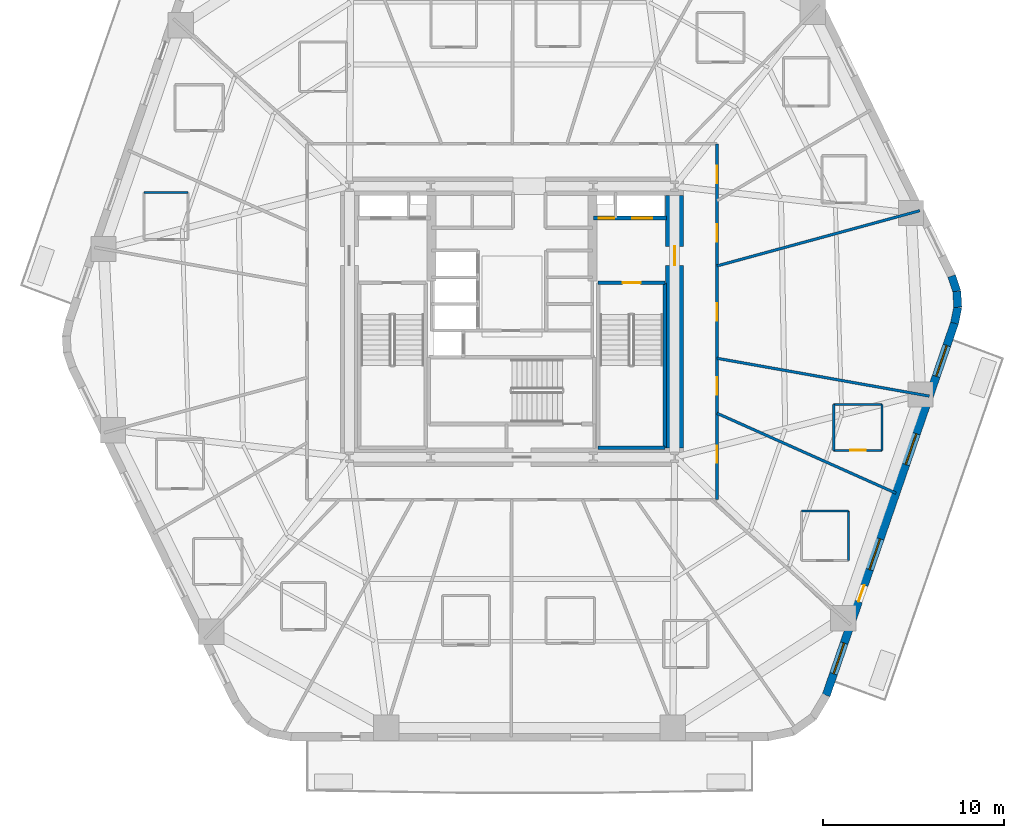
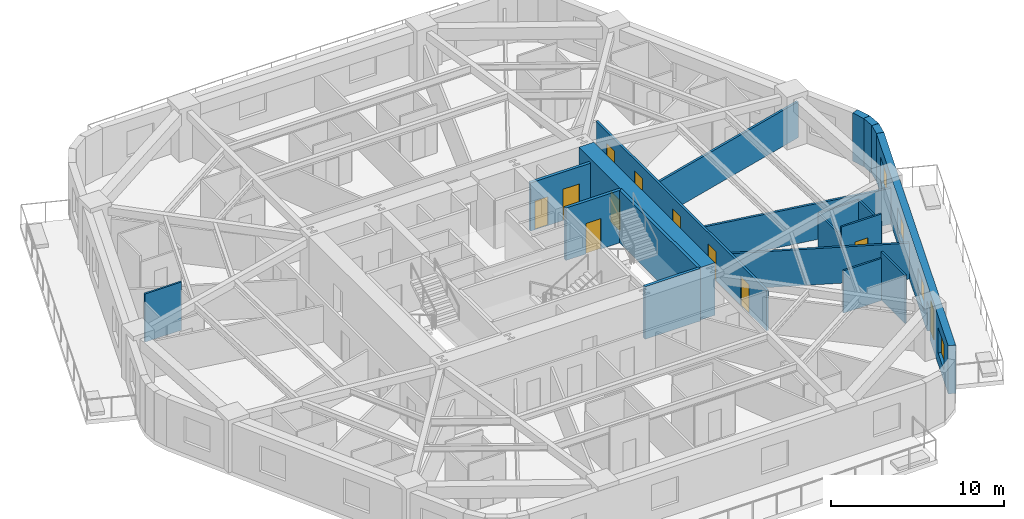
# One storey, part 5 of 11: 20 walls, 11 doors, 4 windows, 15 openings.
"""IFC4 building model written with IfcOpenShell, lengths in metres."""

from ifc_helpers import new_model, si_unit, direction, frame, frame_2d, origin, place, context, subcontext, project, spatial, rectangle, extrude, material, layer, layer_set, type_object, element, fill, save


model = new_model("IFC4")

# Units and contexts
model_context = context("Model", 3, precision=1e-05, world=origin(), true_north=direction((0.0, 1.0)))
body_context = subcontext(model_context, "Body", "Model", "MODEL_VIEW")
ifc_project = project(units=[si_unit("LENGTHUNIT", "METRE"), si_unit("AREAUNIT", "SQUARE_METRE"), si_unit("VOLUMEUNIT", "CUBIC_METRE"), si_unit("PLANEANGLEUNIT", "RADIAN"), si_unit("MASSUNIT", "GRAM", prefix="KILO")], contexts=[model_context])

# Site, building, storey
site_placement = place(None, origin())
site = spatial("IfcSite", under=ifc_project, at=site_placement, CompositionType="ELEMENT")
building_placement = place(site_placement, origin())
building = spatial("IfcBuilding", under=site, at=building_placement, Name="Kilnhurst Terrace Hotel", CompositionType="ELEMENT")
storey_placement = place(building_placement, frame((0.0, 0.0, 41.60009765625)))
storey = spatial("IfcBuildingStorey", under=building, at=storey_placement, Name="L08", CompositionType="ELEMENT", Elevation=41.60009765625)

# Walls
ifc_material_1 = material(Name="Precast concrete C40/50", Category="concrete")
ifc_layer_1 = layer(ifc_material_1, 0.449951171875, Name="Precast concrete C40/50")
ifc_layer_set_1 = layer_set([ifc_layer_1], Name="Precast concrete C40/50")
wall_type_1 = type_object("IfcWallType", Name="WL-BRK-450", PredefinedType="SOLIDWALL", material=ifc_layer_set_1)
wall_1_placement = place(storey_placement, frame((24.49560546875, -0.07666015625, 0.0), z_axis=(0.0, 0.0, 1.0), x_axis=(0.199570594521, 0.979883451132, 0.0)))
element("IfcWall", 1, at=wall_1_placement, inside=storey, type_object=wall_type_1, Name="L08 Rounded Corner Brick Wall C3.1", PredefinedType="SOLIDWALL", context=body_context, shape_type="SweptSolid", body=[
    extrude(rectangle(XDim=0.896728515625, YDim=0.449951171875, at=frame_2d((0.4482421875, 0.0))), origin(), (0.0, 0.0, 1.0), 3.39990234375),
])
wall_2_placement = place(storey_placement, frame((24.674560546875, 0.802001953125, 0.0), z_axis=(0.0, 0.0, 1.0), x_axis=(-0.061188874166, 0.998126205286, 0.0)))
element("IfcWall", 2, at=wall_2_placement, inside=storey, type_object=wall_type_1, Name="L08 Rounded Corner Brick Wall C3.2", PredefinedType="SOLIDWALL", context=body_context, shape_type="SweptSolid", body=[
    extrude(rectangle(XDim=0.8818359375, YDim=0.449951171875, at=frame_2d((0.44091796875, 0.0))), origin(), (0.0, 0.0, 1.0), 3.39990234375),
])
wall_3_placement = place(storey_placement, frame((24.62060546875, 1.68212890625, 0.0), z_axis=(0.0, 0.0, 1.0), x_axis=(-0.317697451681, 0.948192137278, 0.0)))
element("IfcWall", 3, at=wall_3_placement, inside=storey, type_object=wall_type_1, Name="L08 Rounded Corner Brick Wall C3.3", PredefinedType="SOLIDWALL", context=body_context, shape_type="SweptSolid", body=[
    extrude(rectangle(XDim=0.896728515625, YDim=0.449951171875, at=frame_2d((0.4482421875, 0.0))), origin(), (0.0, 0.0, 1.0), 3.39990234375),
])

# Wall, openings, door, windows
wall_4_placement = place(storey_placement, frame((17.3896484375, -20.678466796875, 0.0), z_axis=(0.0, 0.0, 1.0), x_axis=(0.326068018294, 0.945346310854, 0.0)))
wall_4 = element("IfcWall", 4, at=wall_4_placement, inside=storey, type_object=wall_type_1, Name="L08 Exterior Brick Facade Wall F2", PredefinedType="SOLIDWALL", context=body_context, shape_type="SweptSolid", body=[
    extrude(rectangle(XDim=21.79296875, YDim=0.449951171875, at=frame_2d((10.896484375, 0.0))), origin(), (0.0, 0.0, 1.0), 3.39990234375),
])
opening_1_placement = place(wall_4_placement, frame((5.492919921875, 0.0, 0.0)))
opening_1 = element("IfcOpeningElement", 5, at=opening_1_placement, cuts=wall_4, Name="Opening BD-950", PredefinedType="OPENING", context=body_context, shape_type="SweptSolid", body=[
    extrude(rectangle(XDim=0.949951171875, YDim=2.14990234375, at=frame_2d((0.47509765625, 1.074951171875))), frame((0.0, 0.23486328125, 0.0), z_axis=(0.0, -1.0, 0.0), x_axis=(1.0, 0.0, 0.0)), (0.0, 0.0, 1.0), 0.469970703125),
])
opening_2_placement = place(wall_4_placement, frame((1.260009765625, 0.0, 0.800048828125)))
opening_2 = element("IfcOpeningElement", 6, at=opening_2_placement, cuts=wall_4, Name="Opening W-01", PredefinedType="OPENING", context=body_context, shape_type="SweptSolid", body=[
    extrude(rectangle(XDim=1.800048828125, YDim=1.800048828125, at=frame_2d((0.89990234375, 0.89990234375))), frame((0.0, 0.23486328125, 0.0), z_axis=(0.0, -1.0, 0.0), x_axis=(1.0, 0.0, 0.0)), (0.0, 0.0, 1.0), 0.469970703125),
])
opening_3_placement = place(wall_4_placement, frame((7.363037109375, 0.0, 0.800048828125)))
opening_3 = element("IfcOpeningElement", 7, at=opening_3_placement, cuts=wall_4, Name="Opening W-01", PredefinedType="OPENING", context=body_context, shape_type="SweptSolid", body=[
    extrude(rectangle(XDim=1.800048828125, YDim=1.800048828125, at=frame_2d((0.89990234375, 0.89990234375))), frame((0.0, 0.23486328125, 0.0), z_axis=(0.0, -1.0, 0.0), x_axis=(1.0, 0.0, 0.0)), (0.0, 0.0, 1.0), 0.469970703125),
])
opening_4_placement = place(wall_4_placement, frame((13.51806640625, 0.0, 0.800048828125)))
opening_4 = element("IfcOpeningElement", 8, at=opening_4_placement, cuts=wall_4, Name="Opening W-01", PredefinedType="OPENING", context=body_context, shape_type="SweptSolid", body=[
    extrude(rectangle(XDim=1.800048828125, YDim=1.800048828125, at=frame_2d((0.89990234375, 0.89990234375))), frame((0.0, 0.23486328125, 0.0), z_axis=(0.0, -1.0, 0.0), x_axis=(1.0, 0.0, 0.0)), (0.0, 0.0, 1.0), 0.469970703125),
])
opening_5_placement = place(wall_4_placement, frame((18.679931640625, 0.0, 0.800048828125)))
opening_5 = element("IfcOpeningElement", 9, at=opening_5_placement, cuts=wall_4, Name="Opening W-01", PredefinedType="OPENING", context=body_context, shape_type="SweptSolid", body=[
    extrude(rectangle(XDim=1.800048828125, YDim=1.800048828125, at=frame_2d((0.89990234375, 0.89990234375))), frame((0.0, 0.23486328125, 0.0), z_axis=(0.0, -1.0, 0.0), x_axis=(1.0, 0.0, 0.0)), (0.0, 0.0, 1.0), 0.469970703125),
])
ifc_material_2 = material(Name="Thermally Broken Bronze Aluminium Alloy 6063-T6 and Laminated Glass", Category="aluminium")
door_type_1 = type_object("IfcDoorType", Name="DR-EXT-BAL-950", OperationType="NOTDEFINED", PredefinedType="DOOR", material=ifc_material_2)
door_1_placement = place(opening_1_placement, origin())
door_1 = element("IfcDoor", 10, at=door_1_placement, inside=storey, type_object=door_type_1, Name="L08 Planted Balcony Door BAL-L1B", OperationType="SINGLE_SWING_RIGHT", OverallHeight=2.14990234375, OverallWidth=0.949951171875, PredefinedType="DOOR", context=body_context, shape_type="SweptSolid", body=[
    extrude(rectangle(XDim=0.949951171875, YDim=2.14990234375, at=frame_2d((0.47509765625, 1.074951171875))), frame((0.0, 0.02490234375, 0.0), z_axis=(0.0, -1.0, 0.0), x_axis=(1.0, 0.0, 0.0)), (0.0, 0.0, 1.0), 0.050048828125),
])
fill(opening_1, door_1)
ifc_material_3 = material(Name="Thermally Broken Bronze Aluminium Alloy 6063-T6 and Low-E Glass", Category="aluminium")
window_type = type_object("IfcWindowType", Name="WIN-1800X1800", PartitioningType="SINGLE_PANEL", PredefinedType="WINDOW", material=ifc_material_3)
window_1_placement = place(opening_2_placement, origin())
window_1 = element("IfcWindow", 11, at=window_1_placement, inside=storey, type_object=window_type, Name="L08 Deep-Set Masonry Window F2.1", OverallHeight=1.800048828125, OverallWidth=1.800048828125, PartitioningType="SINGLE_PANEL", PredefinedType="WINDOW", context=body_context, shape_type="SweptSolid", body=[
    extrude(rectangle(XDim=1.800048828125, YDim=1.800048828125, at=frame_2d((0.89990234375, 0.89990234375))), frame((0.0, 0.030029296875, 0.0), z_axis=(0.0, -1.0, 0.0), x_axis=(1.0, 0.0, 0.0)), (0.0, 0.0, 1.0), 0.06005859375),
])
fill(opening_2, window_1)
window_2_placement = place(opening_3_placement, origin())
window_2 = element("IfcWindow", 12, at=window_2_placement, inside=storey, type_object=window_type, Name="L08 Deep-Set Masonry Window F2.2", OverallHeight=1.800048828125, OverallWidth=1.800048828125, PartitioningType="SINGLE_PANEL", PredefinedType="WINDOW", context=body_context, shape_type="SweptSolid", body=[
    extrude(rectangle(XDim=1.800048828125, YDim=1.800048828125, at=frame_2d((0.89990234375, 0.89990234375))), frame((0.0, 0.030029296875, 0.0), z_axis=(0.0, -1.0, 0.0), x_axis=(1.0, 0.0, 0.0)), (0.0, 0.0, 1.0), 0.06005859375),
])
fill(opening_3, window_2)
window_3_placement = place(opening_4_placement, origin())
window_3 = element("IfcWindow", 13, at=window_3_placement, inside=storey, type_object=window_type, Name="L08 Deep-Set Masonry Window F2.3", OverallHeight=1.800048828125, OverallWidth=1.800048828125, PartitioningType="SINGLE_PANEL", PredefinedType="WINDOW", context=body_context, shape_type="SweptSolid", body=[
    extrude(rectangle(XDim=1.800048828125, YDim=1.800048828125, at=frame_2d((0.89990234375, 0.89990234375))), frame((0.0, 0.030029296875, 0.0), z_axis=(0.0, -1.0, 0.0), x_axis=(1.0, 0.0, 0.0)), (0.0, 0.0, 1.0), 0.06005859375),
])
fill(opening_4, window_3)
window_4_placement = place(opening_5_placement, origin())
window_4 = element("IfcWindow", 14, at=window_4_placement, inside=storey, type_object=window_type, Name="L08 Deep-Set Masonry Window F2.4", OverallHeight=1.800048828125, OverallWidth=1.800048828125, PartitioningType="SINGLE_PANEL", PredefinedType="WINDOW", context=body_context, shape_type="SweptSolid", body=[
    extrude(rectangle(XDim=1.800048828125, YDim=1.800048828125, at=frame_2d((0.89990234375, 0.89990234375))), frame((0.0, 0.030029296875, 0.0), z_axis=(0.0, -1.0, 0.0), x_axis=(1.0, 0.0, 0.0)), (0.0, 0.0, 1.0), 0.06005859375),
])
fill(opening_5, window_4)

# Wall, openings, doors
ifc_material_4 = material(Name="Acoustic Double-Gypsum Corridor Partition Assembly")
ifc_layer_2 = layer(ifc_material_4, 0.14990234375, Name="Acoustic Double-Gypsum Corridor Partition Assembly")
ifc_layer_set_2 = layer_set([ifc_layer_2], Name="Acoustic Double-Gypsum Corridor Partition Assembly")
wall_type_2 = type_object("IfcWallType", Name="WL-COR-150", PredefinedType="PARTITIONING", material=ifc_layer_set_2)
wall_5_placement = place(storey_placement, frame((11.35009765625, 9.85009765625, 0.0), z_axis=(0.0, 0.0, 1.0), x_axis=(0.0, -1.0, 0.0)))
wall_5 = element("IfcWall", 15, at=wall_5_placement, inside=storey, type_object=wall_type_2, Name="L08 Interior Wall WL-L08-COR-03", PredefinedType="PARTITIONING", context=body_context, shape_type="SweptSolid", body=[
    extrude(rectangle(XDim=19.7001953125, YDim=0.14990234375, at=frame_2d((9.85009765625, 0.0))), origin(), (0.0, 0.0, 1.0), 2.83984375),
])
opening_6_placement = place(wall_5_placement, frame((4.4609375, 0.0, 0.0)))
opening_6 = element("IfcOpeningElement", 16, at=opening_6_placement, cuts=wall_5, Name="Opening D-60B", PredefinedType="OPENING", context=body_context, shape_type="SweptSolid", body=[
    extrude(rectangle(XDim=0.949951171875, YDim=2.030029296875, at=frame_2d((0.47509765625, 1.01513671875))), frame((0.0, 0.0849609375, 0.0), z_axis=(0.0, -1.0, 0.0), x_axis=(1.0, 0.0, 0.0)), (0.0, 0.0, 1.0), 0.169921875),
])
opening_7_placement = place(wall_5_placement, frame((1.220947265625, 0.0, 0.0)))
opening_7 = element("IfcOpeningElement", 17, at=opening_7_placement, cuts=wall_5, Name="Opening D-60B", PredefinedType="OPENING", context=body_context, shape_type="SweptSolid", body=[
    extrude(rectangle(XDim=0.949951171875, YDim=2.030029296875, at=frame_2d((0.47509765625, 1.01513671875))), frame((0.0, 0.0849609375, 0.0), z_axis=(0.0, -1.0, 0.0), x_axis=(1.0, 0.0, 0.0)), (0.0, 0.0, 1.0), 0.169921875),
])
opening_8_placement = place(wall_5_placement, frame((16.714111328125, 0.0, 0.0)))
opening_8 = element("IfcOpeningElement", 18, at=opening_8_placement, cuts=wall_5, Name="Opening D-60B", PredefinedType="OPENING", context=body_context, shape_type="SweptSolid", body=[
    extrude(rectangle(XDim=0.949951171875, YDim=2.030029296875, at=frame_2d((0.47509765625, 1.01513671875))), frame((0.0, 0.0849609375, 0.0), z_axis=(0.0, -1.0, 0.0), x_axis=(1.0, 0.0, 0.0)), (0.0, 0.0, 1.0), 0.169921875),
])
opening_9_placement = place(wall_5_placement, frame((12.931884765625, 0.0, 0.0)))
opening_9 = element("IfcOpeningElement", 19, at=opening_9_placement, cuts=wall_5, Name="Opening D-60B", PredefinedType="OPENING", context=body_context, shape_type="SweptSolid", body=[
    extrude(rectangle(XDim=0.949951171875, YDim=2.030029296875, at=frame_2d((0.47509765625, 1.01513671875))), frame((0.0, 0.0849609375, 0.0), z_axis=(0.0, -1.0, 0.0), x_axis=(1.0, 0.0, 0.0)), (0.0, 0.0, 1.0), 0.169921875),
])
opening_10_placement = place(wall_5_placement, frame((8.837890625, 0.0, 0.0)))
opening_10 = element("IfcOpeningElement", 20, at=opening_10_placement, cuts=wall_5, Name="Opening D-60B", PredefinedType="OPENING", context=body_context, shape_type="SweptSolid", body=[
    extrude(rectangle(XDim=0.949951171875, YDim=2.030029296875, at=frame_2d((0.47509765625, 1.01513671875))), frame((0.0, 0.0849609375, 0.0), z_axis=(0.0, -1.0, 0.0), x_axis=(1.0, 0.0, 0.0)), (0.0, 0.0, 1.0), 0.169921875),
])
ifc_material_5 = material(Name="Acoustic Walnut Veneer Solid-Core Fire Door")
door_type_2 = type_object("IfcDoorType", Name="DR-FD60-950", OperationType="NOTDEFINED", PredefinedType="DOOR", material=ifc_material_5)
door_2_placement = place(opening_6_placement, origin())
door_2 = element("IfcDoor", 21, at=door_2_placement, inside=storey, type_object=door_type_2, Name="L08 Guest Room Entry Door 1", OperationType="SINGLE_SWING_LEFT", OverallHeight=2.030029296875, OverallWidth=0.949951171875, PredefinedType="DOOR", context=body_context, shape_type="SweptSolid", body=[
    extrude(rectangle(XDim=0.949951171875, YDim=2.030029296875, at=frame_2d((0.47509765625, 1.01513671875))), frame((0.0, 0.02490234375, 0.0), z_axis=(0.0, -1.0, 0.0), x_axis=(1.0, 0.0, 0.0)), (0.0, 0.0, 1.0), 0.050048828125),
])
fill(opening_6, door_2)
door_3_placement = place(opening_7_placement, origin())
door_3 = element("IfcDoor", 22, at=door_3_placement, inside=storey, type_object=door_type_2, Name="L08 Guest Room Entry Door 2", OperationType="SINGLE_SWING_RIGHT", OverallHeight=2.030029296875, OverallWidth=0.949951171875, PredefinedType="DOOR", context=body_context, shape_type="SweptSolid", body=[
    extrude(rectangle(XDim=0.949951171875, YDim=2.030029296875, at=frame_2d((0.47509765625, 1.01513671875))), frame((0.0, 0.02490234375, 0.0), z_axis=(0.0, -1.0, 0.0), x_axis=(1.0, 0.0, 0.0)), (0.0, 0.0, 1.0), 0.050048828125),
])
fill(opening_7, door_3)
door_4_placement = place(opening_8_placement, origin())
door_4 = element("IfcDoor", 23, at=door_4_placement, inside=storey, type_object=door_type_2, Name="L08 Guest Room Entry Door 19", OperationType="SINGLE_SWING_LEFT", OverallHeight=2.030029296875, OverallWidth=0.949951171875, PredefinedType="DOOR", context=body_context, shape_type="SweptSolid", body=[
    extrude(rectangle(XDim=0.949951171875, YDim=2.030029296875, at=frame_2d((0.47509765625, 1.01513671875))), frame((0.0, 0.02490234375, 0.0), z_axis=(0.0, -1.0, 0.0), x_axis=(1.0, 0.0, 0.0)), (0.0, 0.0, 1.0), 0.050048828125),
])
fill(opening_8, door_4)
door_5_placement = place(opening_9_placement, origin())
door_5 = element("IfcDoor", 24, at=door_5_placement, inside=storey, type_object=door_type_2, Name="L08 Guest Room Entry Door 20", OperationType="SINGLE_SWING_RIGHT", OverallHeight=2.030029296875, OverallWidth=0.949951171875, PredefinedType="DOOR", context=body_context, shape_type="SweptSolid", body=[
    extrude(rectangle(XDim=0.949951171875, YDim=2.030029296875, at=frame_2d((0.47509765625, 1.01513671875))), frame((0.0, 0.02490234375, 0.0), z_axis=(0.0, -1.0, 0.0), x_axis=(1.0, 0.0, 0.0)), (0.0, 0.0, 1.0), 0.050048828125),
])
fill(opening_9, door_5)
door_6_placement = place(opening_10_placement, origin())
door_6 = element("IfcDoor", 25, at=door_6_placement, inside=storey, type_object=door_type_2, Name="L08 Business Study Door", OperationType="SINGLE_SWING_LEFT", OverallHeight=2.030029296875, OverallWidth=0.949951171875, PredefinedType="DOOR", context=body_context, shape_type="SweptSolid", body=[
    extrude(rectangle(XDim=0.949951171875, YDim=2.030029296875, at=frame_2d((0.47509765625, 1.01513671875))), frame((0.0, 0.02490234375, 0.0), z_axis=(0.0, -1.0, 0.0), x_axis=(1.0, 0.0, 0.0)), (0.0, 0.0, 1.0), 0.050048828125),
])
fill(opening_10, door_6)

# Wall, opening, door
ifc_material_6 = material(Name="Concrete C80/95", Category="concrete")
ifc_layer_3 = layer(ifc_material_6, 1.0, Name="Concrete C80/95")
ifc_layer_set_3 = layer_set([ifc_layer_3], Name="Concrete C80/95")
wall_type_3 = type_object("IfcWallType", Name="WL-CORE-1000", PredefinedType="SHEAR", material=ifc_layer_set_3)
wall_6_placement = place(storey_placement, frame((9.0, -7.0, 0.0), z_axis=(0.0, 0.0, 1.0), x_axis=(0.0, 1.0, 0.0)))
wall_6 = element("IfcWall", 26, at=wall_6_placement, inside=storey, type_object=wall_type_3, Name="L08 Core East Shear Wall", PredefinedType="SHEAR", context=body_context, shape_type="SweptSolid", body=[
    extrude(rectangle(XDim=14.0, YDim=1.0, at=frame_2d((7.0, 0.0))), origin(), (0.0, 0.0, 1.0), 3.699951171875),
])
opening_11_placement = place(wall_6_placement, frame((10.125, 0.0, 0.0)))
opening_11 = element("IfcOpeningElement", 27, at=opening_11_placement, cuts=wall_6, Name="Opening D-90A", PredefinedType="OPENING", context=body_context, shape_type="SweptSolid", body=[
    extrude(rectangle(XDim=1.050048828125, YDim=2.14990234375, at=frame_2d((0.52490234375, 1.074951171875))), frame((0.0, 0.510009765625, 0.0), z_axis=(0.0, -1.0, 0.0), x_axis=(1.0, 0.0, 0.0)), (0.0, 0.0, 1.0), 1.02001953125),
])
ifc_material_7 = material(Name="Painted Hollow Metal Steel ASTM A36 Fire Door", Category="steel")
door_type_3 = type_object("IfcDoorType", Name="DR-FD90-1050", OperationType="NOTDEFINED", PredefinedType="DOOR", material=ifc_material_7)
door_7_placement = place(opening_11_placement, origin())
door_7 = element("IfcDoor", 28, at=door_7_placement, inside=storey, type_object=door_type_3, Name="L08 East Firefighting Lobby Door", OperationType="SINGLE_SWING_LEFT", OverallHeight=2.14990234375, OverallWidth=1.050048828125, PredefinedType="DOOR", context=body_context, shape_type="SweptSolid", body=[
    extrude(rectangle(XDim=1.050048828125, YDim=2.14990234375, at=frame_2d((0.52490234375, 1.074951171875))), frame((0.0, 0.02490234375, 0.0), z_axis=(0.0, -1.0, 0.0), x_axis=(1.0, 0.0, 0.0)), (0.0, 0.0, 1.0), 0.050048828125),
])
fill(opening_11, door_7)

# Walls
ifc_material_8 = material(Name="STC-58 Acoustic Twin-Frame Guestroom Demising Partition")
ifc_layer_4 = layer(ifc_material_8, 0.14990234375, Name="STC-58 Acoustic Twin-Frame Guestroom Demising Partition")
ifc_layer_set_4 = layer_set([ifc_layer_4], Name="STC-58 Acoustic Twin-Frame Guestroom Demising Partition")
wall_type_4 = type_object("IfcWallType", Name="WL-DEM-150", PredefinedType="PARTITIONING", material=ifc_layer_set_4)
wall_7_placement = place(storey_placement, frame((11.35009765625, 3.0908203125, 0.0), z_axis=(0.0, 0.0, 1.0), x_axis=(0.964859685283, 0.262765651704, 0.0)))
element("IfcWall", 29, at=wall_7_placement, inside=storey, type_object=wall_type_4, Name="L08 Interior Wall WL-L08-DEM-COL01-01-1", PredefinedType="PARTITIONING", context=body_context, shape_type="SweptSolid", body=[
    extrude(rectangle(XDim=11.62890625, YDim=0.14990234375, at=frame_2d((5.814453125, 0.0))), origin(), (0.0, 0.0, 1.0), 2.539794921875),
])
wall_8_placement = place(storey_placement, frame((11.35009765625, -5.068115234375, 0.0), z_axis=(0.0, 0.0, 1.0), x_axis=(0.913107192911, -0.407719577963, 0.0)))
element("IfcWall", 30, at=wall_8_placement, inside=storey, type_object=wall_type_4, Name="L08 Interior Wall WL-L08-DEM-MID11-20-1", PredefinedType="PARTITIONING", context=body_context, shape_type="SweptSolid", body=[
    extrude(rectangle(XDim=10.84130859375, YDim=0.14990234375, at=frame_2d((5.420654296875, 0.0))), origin(), (0.0, 0.0, 1.0), 2.539794921875),
])
wall_9_placement = place(storey_placement, frame((11.35009765625, -2.022705078125, 0.0), z_axis=(0.0, 0.0, 1.0), x_axis=(0.984493741877, -0.17541970301, 0.0)))
element("IfcWall", 31, at=wall_9_placement, inside=storey, type_object=wall_type_4, Name="L08 Interior Wall WL-L08-DEM-COL12-21-1", PredefinedType="PARTITIONING", context=body_context, shape_type="SweptSolid", body=[
    extrude(rectangle(XDim=11.93701171875, YDim=0.14990234375, at=frame_2d((5.968505859375, 0.0))), origin(), (0.0, 0.0, 1.0), 2.539794921875),
])
ifc_material_9 = material(Name="120 mm Moisture-Resistant Tile-Backed Bathroom Partition")
ifc_layer_5 = layer(ifc_material_9, 0.1201171875, Name="120 mm Moisture-Resistant Tile-Backed Bathroom Partition")
ifc_layer_set_5 = layer_set([ifc_layer_5], Name="120 mm Moisture-Resistant Tile-Backed Bathroom Partition")
wall_type_5 = type_object("IfcWallType", Name="WL-PART-120", PredefinedType="PARTITIONING", material=ifc_layer_set_5)
wall_10_placement = place(storey_placement, frame((-17.928955078125, 7.154052734375, 0.0), z_axis=(0.0, 0.0, 1.0), x_axis=(-1.0, 0.0, 0.0)))
element("IfcWall", 32, at=wall_10_placement, inside=storey, type_object=wall_type_5, Name="L08 Interior Wall WL-L08-BTH-09-3", PredefinedType="PARTITIONING", context=body_context, shape_type="SweptSolid", body=[
    extrude(rectangle(XDim=2.43994140625, YDim=0.1201171875, at=frame_2d((1.219970703125, 0.0))), origin(), (0.0, 0.0, 1.0), 3.39990234375),
])
wall_11_placement = place(storey_placement, frame((18.618896484375, -13.218994140625, 0.0), z_axis=(0.0, 0.0, 1.0), x_axis=(0.0, 1.0, 0.0)))
element("IfcWall", 33, at=wall_11_placement, inside=storey, type_object=wall_type_5, Name="L08 Interior Wall WL-L08-BTH-19-2", PredefinedType="PARTITIONING", context=body_context, shape_type="SweptSolid", body=[
    extrude(rectangle(XDim=2.75, YDim=0.1201171875, at=frame_2d((1.375, 0.0))), origin(), (0.0, 0.0, 1.0), 3.39990234375),
])
wall_12_placement = place(storey_placement, frame((18.618896484375, -10.468994140625, 0.0), z_axis=(0.0, 0.0, 1.0), x_axis=(-1.0, 0.0, 0.0)))
element("IfcWall", 34, at=wall_12_placement, inside=storey, type_object=wall_type_5, Name="L08 Interior Wall WL-L08-BTH-19-3", PredefinedType="PARTITIONING", context=body_context, shape_type="SweptSolid", body=[
    extrude(rectangle(XDim=2.599853515625, YDim=0.1201171875, at=frame_2d((1.2998046875, 0.0))), origin(), (0.0, 0.0, 1.0), 2.972412109375),
])

# Wall, opening, door
wall_13_placement = place(storey_placement, frame((17.80908203125, -7.118896484375, 0.0), z_axis=(0.0, 0.0, 1.0), x_axis=(1.0, 0.0, 0.0)))
wall_13 = element("IfcWall", 35, at=wall_13_placement, inside=storey, type_object=wall_type_5, Name="L08 Interior Wall WL-L08-BTH-20-1", PredefinedType="PARTITIONING", context=body_context, shape_type="SweptSolid", body=[
    extrude(rectangle(XDim=2.679931640625, YDim=0.1201171875, at=frame_2d((1.33984375, 0.0))), origin(), (0.0, 0.0, 1.0), 3.39990234375),
])
opening_12_placement = place(wall_13_placement, frame((0.9150390625, 0.0, 0.0)))
opening_12 = element("IfcOpeningElement", 36, at=opening_12_placement, cuts=wall_13, Name="Opening D-08A", PredefinedType="OPENING", context=body_context, shape_type="SweptSolid", body=[
    extrude(rectangle(XDim=0.85009765625, YDim=2.030029296875, at=frame_2d((0.425048828125, 1.01513671875))), frame((0.0, 0.070068359375, 0.0), z_axis=(0.0, -1.0, 0.0), x_axis=(1.0, 0.0, 0.0)), (0.0, 0.0, 1.0), 0.14013671875),
])
ifc_material_10 = material(Name="Moisture-Resistant Lacquered En-suite Bathroom Door")
door_type_4 = type_object("IfcDoorType", Name="DR-INT-850", OperationType="NOTDEFINED", PredefinedType="DOOR", material=ifc_material_10)
door_8_placement = place(opening_12_placement, origin())
door_8 = element("IfcDoor", 37, at=door_8_placement, inside=storey, type_object=door_type_4, Name="L08 En-suite Bathroom Door 20", OperationType="SINGLE_SWING_LEFT", OverallHeight=2.030029296875, OverallWidth=0.85009765625, PredefinedType="DOOR", context=body_context, shape_type="SweptSolid", body=[
    extrude(rectangle(XDim=0.85009765625, YDim=2.030029296875, at=frame_2d((0.425048828125, 1.01513671875))), frame((0.0, 0.02490234375, 0.0), z_axis=(0.0, -1.0, 0.0), x_axis=(1.0, 0.0, 0.0)), (0.0, 0.0, 1.0), 0.050048828125),
])
fill(opening_12, door_8)

# Walls
wall_14_placement = place(storey_placement, frame((20.489013671875, -7.118896484375, 0.0), z_axis=(0.0, 0.0, 1.0), x_axis=(0.0, 1.0, 0.0)))
element("IfcWall", 38, at=wall_14_placement, inside=storey, type_object=wall_type_5, Name="L08 Interior Wall WL-L08-BTH-20-2", PredefinedType="PARTITIONING", context=body_context, shape_type="SweptSolid", body=[
    extrude(rectangle(XDim=2.539794921875, YDim=0.1201171875, at=frame_2d((1.27001953125, 0.0))), origin(), (0.0, 0.0, 1.0), 2.83984375),
])
wall_15_placement = place(storey_placement, frame((20.489013671875, -4.5791015625, 0.0), z_axis=(0.0, 0.0, 1.0), x_axis=(-1.0, 0.0, 0.0)))
element("IfcWall", 39, at=wall_15_placement, inside=storey, type_object=wall_type_5, Name="L08 Interior Wall WL-L08-BTH-20-3", PredefinedType="PARTITIONING", context=body_context, shape_type="SweptSolid", body=[
    extrude(rectangle(XDim=2.679931640625, YDim=0.1201171875, at=frame_2d((1.33984375, 0.0))), origin(), (0.0, 0.0, 1.0), 2.83984375),
])
wall_16_placement = place(storey_placement, frame((17.80908203125, -4.5791015625, 0.0), z_axis=(0.0, 0.0, 1.0), x_axis=(0.0, -1.0, 0.0)))
element("IfcWall", 40, at=wall_16_placement, inside=storey, type_object=wall_type_5, Name="L08 Interior Wall WL-L08-BTH-20-4", PredefinedType="PARTITIONING", context=body_context, shape_type="SweptSolid", body=[
    extrude(rectangle(XDim=2.539794921875, YDim=0.1201171875, at=frame_2d((1.27001953125, 0.0))), origin(), (0.0, 0.0, 1.0), 2.83984375),
])

# Wall, openings, doors
ifc_material_11 = material(Name="Autoclaved Aerated Concrete C30/37 and Gypsum Shaft Assembly", Category="concrete")
ifc_layer_6 = layer(ifc_material_11, 0.199951171875, Name="Autoclaved Aerated Concrete C30/37 and Gypsum Shaft Assembly")
ifc_layer_set_6 = layer_set([ifc_layer_6], Name="Autoclaved Aerated Concrete C30/37 and Gypsum Shaft Assembly")
wall_type_6 = type_object("IfcWallType", Name="WL-SHAFT-200", PredefinedType="PARTITIONING", material=ifc_layer_set_6)
wall_17_placement = place(storey_placement, frame((4.5, 5.739990234375, 0.0), z_axis=(0.0, 0.0, 1.0), x_axis=(1.0, 0.0, 0.0)))
wall_17 = element("IfcWall", 41, at=wall_17_placement, inside=storey, type_object=wall_type_6, Name="L08 Interior Wall WL-L08-FSAE2-S", PredefinedType="PARTITIONING", context=body_context, shape_type="SweptSolid", body=[
    extrude(rectangle(XDim=4.050048828125, YDim=0.199951171875, at=frame_2d((2.02490234375, 0.0))), origin(), (0.0, 0.0, 1.0), 3.39990234375),
])
opening_13_placement = place(wall_17_placement, frame((0.300048828125, 0.0, 0.0)))
opening_13 = element("IfcOpeningElement", 42, at=opening_13_placement, cuts=wall_17, Name="Opening D-60D", PredefinedType="OPENING", context=body_context, shape_type="SweptSolid", body=[
    extrude(rectangle(XDim=0.85009765625, YDim=2.030029296875, at=frame_2d((0.425048828125, 1.01513671875))), frame((0.0, 0.10986328125, 0.0), z_axis=(0.0, -1.0, 0.0), x_axis=(1.0, 0.0, 0.0)), (0.0, 0.0, 1.0), 0.219970703125),
])
opening_14_placement = place(wall_17_placement, frame((2.14990234375, 0.0, 0.0)))
opening_14 = element("IfcOpeningElement", 43, at=opening_14_placement, cuts=wall_17, Name="Opening LD-F2", PredefinedType="OPENING", context=body_context, shape_type="SweptSolid", body=[
    extrude(rectangle(XDim=1.10009765625, YDim=2.199951171875, at=frame_2d((0.550048828125, 1.10009765625))), frame((0.0, 0.10986328125, 0.0), z_axis=(0.0, -1.0, 0.0), x_axis=(1.0, 0.0, 0.0)), (0.0, 0.0, 1.0), 0.219970703125),
])
ifc_material_12 = material(Name="Painted Hollow Metal Steel ASTM A36 Riser Door", Category="steel")
door_type_5 = type_object("IfcDoorType", Name="DR-FD60-850", OperationType="NOTDEFINED", PredefinedType="DOOR", material=ifc_material_12)
door_9_placement = place(opening_13_placement, origin())
door_9 = element("IfcDoor", 44, at=door_9_placement, inside=storey, type_object=door_type_5, Name="L08 Telecom Riser Door", OperationType="SINGLE_SWING_RIGHT", OverallHeight=2.030029296875, OverallWidth=0.85009765625, PredefinedType="DOOR", context=body_context, shape_type="SweptSolid", body=[
    extrude(rectangle(XDim=0.85009765625, YDim=2.030029296875, at=frame_2d((0.425048828125, 1.01513671875))), frame((0.0, 0.02490234375, 0.0), z_axis=(0.0, -1.0, 0.0), x_axis=(1.0, 0.0, 0.0)), (0.0, 0.0, 1.0), 0.050048828125),
])
fill(opening_13, door_9)
ifc_material_13 = material(Name="Bronze-Anodized Stainless Steel AISI 316L Sliding Door", Category="steel")
door_type_6 = type_object("IfcDoorType", Name="DR-LIFT-1100", OperationType="NOTDEFINED", PredefinedType="DOOR", material=ifc_material_13)
door_10_placement = place(opening_14_placement, origin())
door_10 = element("IfcDoor", 45, at=door_10_placement, inside=storey, type_object=door_type_6, Name="L08 FSAE-2 Landing Door", OperationType="SLIDING_TO_RIGHT", OverallHeight=2.199951171875, OverallWidth=1.10009765625, PredefinedType="DOOR", context=body_context, shape_type="SweptSolid", body=[
    extrude(rectangle(XDim=1.10009765625, YDim=2.199951171875, at=frame_2d((0.550048828125, 1.10009765625))), frame((0.0, 0.02490234375, 0.0), z_axis=(0.0, -1.0, 0.0), x_axis=(1.0, 0.0, 0.0)), (0.0, 0.0, 1.0), 0.050048828125),
])
fill(opening_14, door_10)

# Walls
ifc_material_14 = material(Name="Concrete C50/60", Category="concrete")
ifc_layer_7 = layer(ifc_material_14, 0.199951171875, Name="Concrete C50/60")
ifc_layer_set_7 = layer_set([ifc_layer_7], Name="Concrete C50/60")
wall_type_7 = type_object("IfcWallType", Name="WL-STAIR-RC-200", PredefinedType="SHEAR", material=ifc_layer_set_7)
wall_18_placement = place(storey_placement, frame((8.4580078125, -6.985107421875, 0.0), z_axis=(0.0, 0.0, 1.0), x_axis=(0.0, 1.0, 0.0)))
element("IfcWall", 46, at=wall_18_placement, inside=storey, type_object=wall_type_7, Name="L08 Structural Stair Shaft Wall WL-L08-ST2-E", PredefinedType="SHEAR", context=body_context, shape_type="SweptSolid", body=[
    extrude(rectangle(XDim=9.14306640625, YDim=0.199951171875, at=frame_2d((4.571533203125, 0.0))), origin(), (0.0, 0.0, 1.0), 3.699951171875),
])
wall_19_placement = place(storey_placement, frame((4.77197265625, -6.985107421875, 0.0), z_axis=(0.0, 0.0, 1.0), x_axis=(1.0, 0.0, 0.0)))
element("IfcWall", 47, at=wall_19_placement, inside=storey, type_object=wall_type_7, Name="L08 Structural Stair Shaft Wall WL-L08-ST2-S", PredefinedType="SHEAR", context=body_context, shape_type="SweptSolid", body=[
    extrude(rectangle(XDim=3.68603515625, YDim=0.199951171875, at=frame_2d((1.843017578125, 0.0))), origin(), (0.0, 0.0, 1.0), 3.699951171875),
])

# Wall, opening, door
wall_20_placement = place(storey_placement, frame((4.77197265625, 2.157958984375, 0.0), z_axis=(0.0, 0.0, 1.0), x_axis=(1.0, 0.0, 0.0)))
wall_20 = element("IfcWall", 48, at=wall_20_placement, inside=storey, type_object=wall_type_7, Name="L08 Structural Stair Shaft Wall WL-L08-ST2-N", PredefinedType="SHEAR", context=body_context, shape_type="SweptSolid", body=[
    extrude(rectangle(XDim=3.68603515625, YDim=0.199951171875, at=frame_2d((1.843017578125, 0.0))), origin(), (0.0, 0.0, 1.0), 3.699951171875),
])
opening_15_placement = place(wall_20_placement, frame((1.35009765625, 0.0, 0.0)))
opening_15 = element("IfcOpeningElement", 49, at=opening_15_placement, cuts=wall_20, Name="Opening D-90B", PredefinedType="OPENING", context=body_context, shape_type="SweptSolid", body=[
    extrude(rectangle(XDim=1.0, YDim=2.14990234375, at=frame_2d((0.5, 1.074951171875))), frame((0.0, 0.10986328125, 0.0), z_axis=(0.0, -1.0, 0.0), x_axis=(1.0, 0.0, 0.0)), (0.0, 0.0, 1.0), 0.219970703125),
])
door_type_7 = type_object("IfcDoorType", Name="DR-FD90-1000", OperationType="NOTDEFINED", PredefinedType="DOOR", material=ifc_material_7)
door_11_placement = place(opening_15_placement, origin())
door_11 = element("IfcDoor", 50, at=door_11_placement, inside=storey, type_object=door_type_7, Name="L08 Stair ST-2 Door", OperationType="SINGLE_SWING_RIGHT", OverallHeight=2.14990234375, OverallWidth=1.0, PredefinedType="DOOR", context=body_context, shape_type="SweptSolid", body=[
    extrude(rectangle(XDim=1.0, YDim=2.14990234375, at=frame_2d((0.5, 1.074951171875))), frame((0.0, 0.02490234375, 0.0), z_axis=(0.0, -1.0, 0.0), x_axis=(1.0, 0.0, 0.0)), (0.0, 0.0, 1.0), 0.050048828125),
])
fill(opening_15, door_11)

save(model, "model.ifc")
